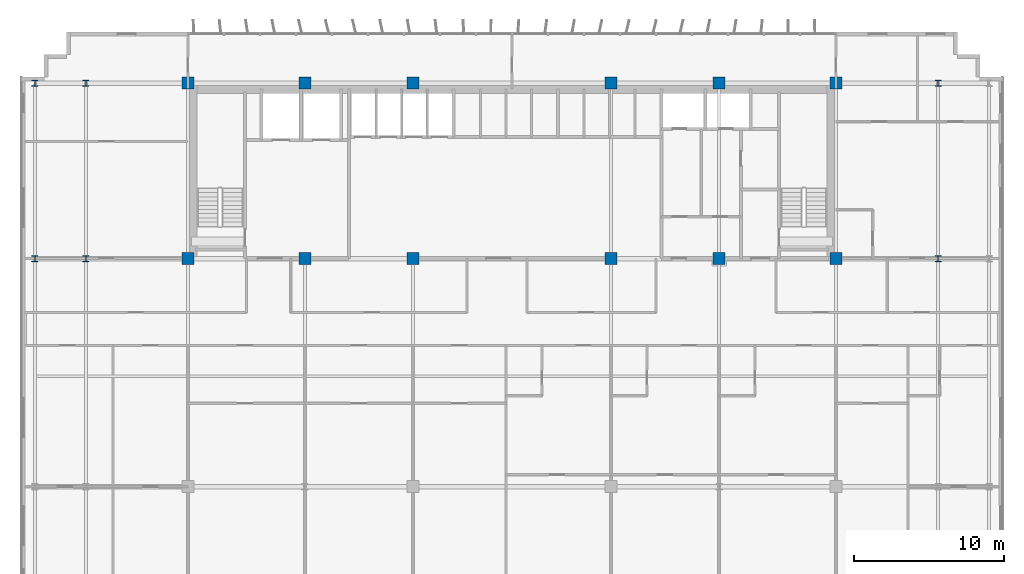
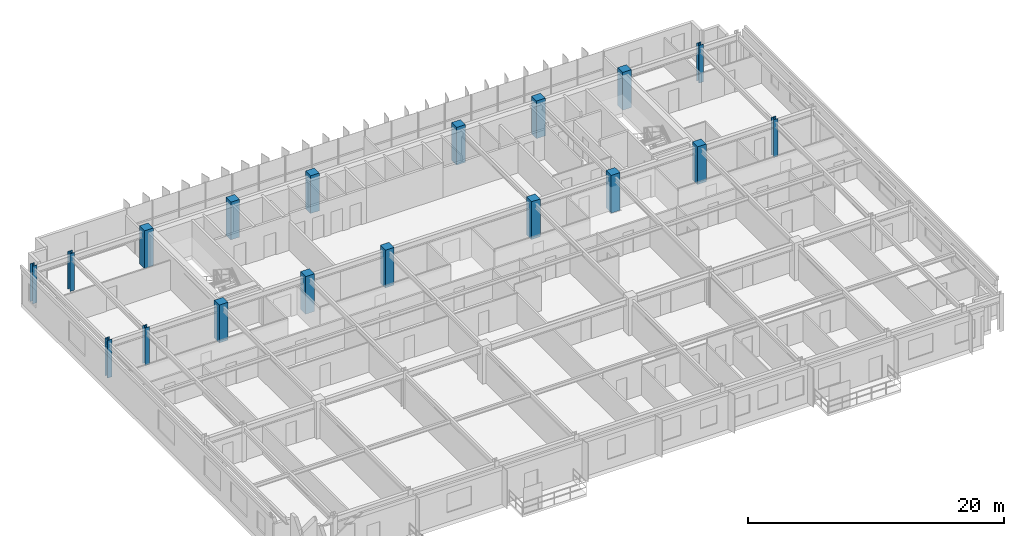
# One storey, part 2 of 22: 18 columns.
"""IFC4 building model written with IfcOpenShell, lengths in metres."""

from ifc_helpers import new_model, si_unit, direction, frame, origin, origin_2d, place, context, subcontext, project, spatial, rectangle, i_section, extrude, source, transform, mapped, material, material_profile, profile_set, type_object, element, save


model = new_model("IFC4")

# Units and contexts
model_context = context("Model", 3, precision=1e-05, world=origin(), true_north=direction((0.0, 1.0)))
body_context = subcontext(model_context, "Body", "Model", "MODEL_VIEW")
ifc_project = project(units=[si_unit("LENGTHUNIT", "METRE"), si_unit("AREAUNIT", "SQUARE_METRE"), si_unit("VOLUMEUNIT", "CUBIC_METRE"), si_unit("PLANEANGLEUNIT", "RADIAN"), si_unit("MASSUNIT", "GRAM", prefix="KILO")], contexts=[model_context])

# Site, building, storey
site_placement = place(None, origin())
site = spatial("IfcSite", under=ifc_project, at=site_placement, CompositionType="ELEMENT")
building_placement = place(site_placement, origin())
building = spatial("IfcBuilding", under=site, at=building_placement, Name="Trelvane Seafront Commons", CompositionType="ELEMENT")
storey_placement = place(building_placement, frame((0.0, 0.0, 81.699951171875)))
storey = spatial("IfcBuildingStorey", under=building, at=storey_placement, Name="L20", CompositionType="ELEMENT", Elevation=81.699951171875)

# Columns
ifc_material_1 = material(Name="Steel SM355 (S355)", Category="steel")
ifc_material_profile_1 = material_profile(ifc_material_1, i_section(OverallWidth=0.39990234375, OverallDepth=0.39990234375, WebThickness=0.02197265625, FlangeThickness=0.034912109375, at=origin_2d()), Name="HD-400x400x22x35")
ifc_profile_set_1 = profile_set([ifc_material_profile_1], Name="Steel SM355 (S355)")
column_type_1 = type_object("IfcColumnType", Name="STR-COL-HD400", PredefinedType="COLUMN", material=ifc_profile_set_1)
shared_shape_1 = source(origin(), body_context, "Body", "SweptSolid", [
    extrude(i_section(OverallWidth=0.39990234375, OverallDepth=0.39990234375, WebThickness=0.02197265625, FlangeThickness=0.034912109375, at=origin_2d()), origin(), (0.0, 0.0, 1.0), 3.60009765625),
])
for number, where, z_axis, x_axis, name in (
    (1, (5.39990234375, 33.39990234375, 0.0), (0.0, 0.0, 1.0), (1.0, 0.0, 0.0), "L20 Column TC-CS5.4"),
    (2, (5.39990234375, 45.10009765625, 0.0), (0.0, 0.0, 1.0), (1.0, 0.0, 0.0), "L20 Column TC-CN5.4"),
    (3, (8.800048828125, 33.39990234375, 0.0), (0.0, 0.0, 1.0), (1.0, 0.0, 0.0), "L20 Column TC-CS8.8"),
    (4, (8.800048828125, 45.10009765625, 0.0), (0.0, 0.0, 1.0), (1.0, 0.0, 0.0), "L20 Column TC-CN8.8"),
    (5, (65.60009765625, 33.39990234375, 0.0), (0.0, 0.0, 1.0), (1.0, 0.0, 0.0), "L20 Column TC-CS65.6"),
    (6, (65.60009765625, 45.10009765625, 0.0), (0.0, 0.0, 1.0), (1.0, 0.0, 0.0), "L20 Column TC-CN65.6"),
):
    element("IfcColumn", number, at=place(storey_placement, frame(where, z_axis=z_axis, x_axis=x_axis)), inside=storey, type_object=column_type_1, Name=name, PredefinedType="COLUMN", context=body_context, shape_type="MappedRepresentation", body=[
        mapped(shared_shape_1, transform((0.0, 0.0, 0.0), x_axis=(1.0, 0.0, 0.0), y_axis=(0.0, 1.0, 0.0), z_axis=(0.0, 0.0, 1.0), scale=1.0)),
    ])
ifc_material_2 = material(Name="Concrete C60/75", Category="concrete")
ifc_material_profile_2 = material_profile(ifc_material_2, rectangle(XDim=0.800048828125, YDim=0.800048828125, at=origin_2d()), Name="RC-800x800")
ifc_profile_set_2 = profile_set([ifc_material_profile_2], Name="Concrete C60/75")
column_type_2 = type_object("IfcColumnType", Name="STR-COL-RC800", PredefinedType="COLUMN", material=ifc_profile_set_2)
shared_shape_2 = source(origin(), body_context, "Body", "SweptSolid", [
    extrude(rectangle(XDim=0.800048828125, YDim=0.800048828125, at=origin_2d()), origin(), (0.0, 0.0, 1.0), 3.60009765625),
])
for number, where, z_axis, x_axis, name in (
    (7, (15.60009765625, 33.39990234375, 0.0), (0.0, 0.0, 1.0), (1.0, 0.0, 0.0), "L20 Column TC-CS15.6"),
    (8, (15.60009765625, 45.10009765625, 0.0), (0.0, 0.0, 1.0), (1.0, 0.0, 0.0), "L20 Column TC-CN15.6"),
    (9, (23.39990234375, 33.39990234375, 0.0), (0.0, 0.0, 1.0), (1.0, 0.0, 0.0), "L20 Column TC-CS23.4"),
    (10, (23.39990234375, 45.10009765625, 0.0), (0.0, 0.0, 1.0), (1.0, 0.0, 0.0), "L20 Column TC-CN23.4"),
    (11, (30.60009765625, 33.39990234375, 0.0), (0.0, 0.0, 1.0), (1.0, 0.0, 0.0), "L20 Column TC-CS30.6"),
    (12, (30.60009765625, 45.10009765625, 0.0), (0.0, 0.0, 1.0), (1.0, 0.0, 0.0), "L20 Column TC-CN30.6"),
    (13, (43.800048828125, 33.39990234375, 0.0), (0.0, 0.0, 1.0), (1.0, 0.0, 0.0), "L20 Column TC-CS43.8"),
    (14, (43.800048828125, 45.10009765625, 0.0), (0.0, 0.0, 1.0), (1.0, 0.0, 0.0), "L20 Column TC-CN43.8"),
    (15, (51.0, 33.39990234375, 0.0), (0.0, 0.0, 1.0), (1.0, 0.0, 0.0), "L20 Column TC-CS51.0"),
    (16, (51.0, 45.10009765625, 0.0), (0.0, 0.0, 1.0), (1.0, 0.0, 0.0), "L20 Column TC-CN51.0"),
    (17, (58.800048828125, 33.39990234375, 0.0), (0.0, 0.0, 1.0), (1.0, 0.0, 0.0), "L20 Column TC-CS58.8"),
    (18, (58.800048828125, 45.10009765625, 0.0), (0.0, 0.0, 1.0), (1.0, 0.0, 0.0), "L20 Column TC-CN58.8"),
):
    element("IfcColumn", number, at=place(storey_placement, frame(where, z_axis=z_axis, x_axis=x_axis)), inside=storey, type_object=column_type_2, Name=name, PredefinedType="COLUMN", context=body_context, shape_type="MappedRepresentation", body=[
        mapped(shared_shape_2, transform((0.0, 0.0, 0.0), x_axis=(1.0, 0.0, 0.0), y_axis=(0.0, 1.0, 0.0), z_axis=(0.0, 0.0, 1.0), scale=1.0)),
    ])

save(model, "model.ifc")
